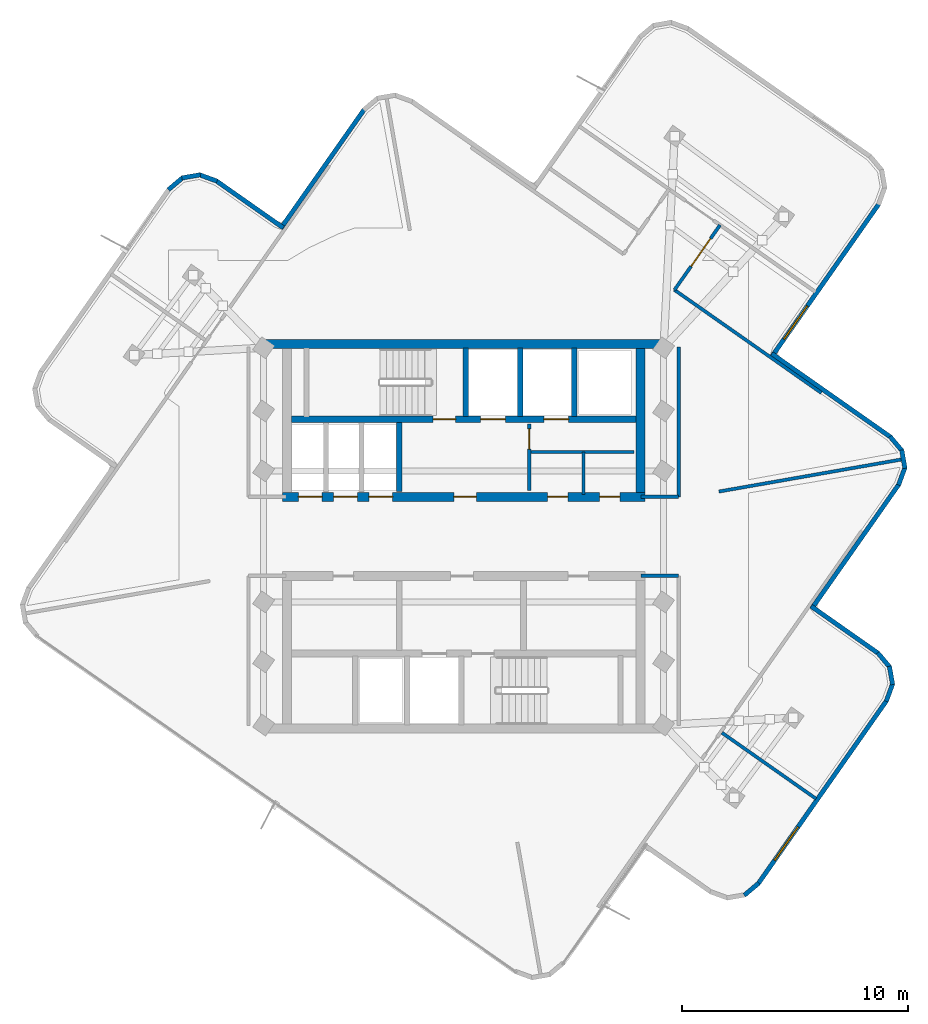
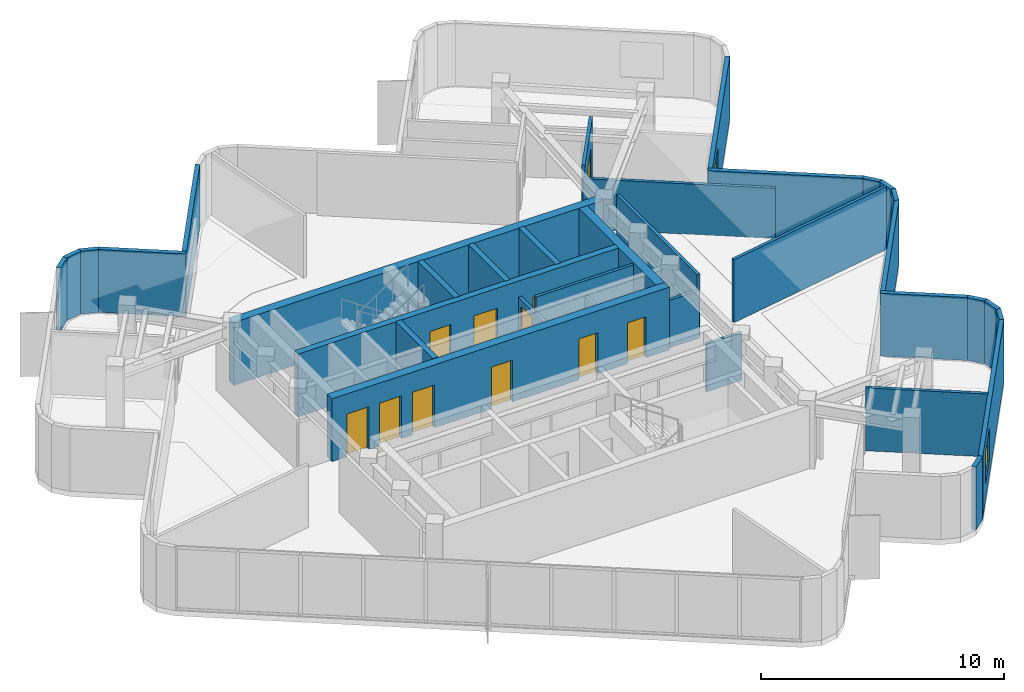
# One storey, part 5 of 8: 35 walls, 11 doors, 2 windows, 13 openings.
"""IFC4 building model written with IfcOpenShell, lengths in metres."""

from ifc_helpers import new_model, si_unit, direction, frame, frame_2d, origin, place, context, subcontext, project, spatial, rectangle, extrude, material, layer, layer_set, type_object, element, fill, save


model = new_model("IFC4")

# Units and contexts
model_context = context("Model", 3, precision=1e-05, world=origin(), true_north=direction((0.0, 1.0)))
body_context = subcontext(model_context, "Body", "Model", "MODEL_VIEW")
ifc_project = project(units=[si_unit("LENGTHUNIT", "METRE"), si_unit("AREAUNIT", "SQUARE_METRE"), si_unit("VOLUMEUNIT", "CUBIC_METRE"), si_unit("PLANEANGLEUNIT", "RADIAN"), si_unit("MASSUNIT", "GRAM", prefix="KILO")], contexts=[model_context])

# Site, building, storey
site_placement = place(None, origin())
site = spatial("IfcSite", under=ifc_project, at=site_placement, CompositionType="ELEMENT")
building_placement = place(site_placement, origin())
building = spatial("IfcBuilding", under=site, at=building_placement, Name="Solmarez Civic Tower", CompositionType="ELEMENT")
storey_placement = place(building_placement, frame((0.0, 0.0, 264.60009765625)))
storey = spatial("IfcBuildingStorey", under=building, at=storey_placement, Name="L71", CompositionType="ELEMENT", Elevation=264.60009765625)

# Wall
ifc_material_1 = material(Name="Concrete C50/60", Category="concrete")
ifc_layer_1 = layer(ifc_material_1, 0.39990234375)
ifc_layer_set_1 = layer_set([ifc_layer_1], Name="Concrete C50/60")
wall_type_1 = type_object("IfcWallType", Name="WALL-CORE-400", PredefinedType="SHEAR", material=ifc_layer_set_1)
wall_1_placement = place(storey_placement, frame((-8.780029296875, 8.510009765625, 0.0), z_axis=(0.0, 0.0, 1.0), x_axis=(1.0, 0.0, 0.0)))
element("IfcWall", 1, at=wall_1_placement, inside=storey, type_object=wall_type_1, Name="L71 Split-Core Structural Wall NCW-N-L71", PredefinedType="SHEAR", context=body_context, shape_type="SweptSolid", body=[
    extrude(rectangle(XDim=17.56005859375, YDim=0.39990234375, at=frame_2d((8.780029296875, 0.0))), origin(), (0.0, 0.0, 1.0), 3.159912109375),
])

# Wall, openings, doors
wall_2_placement = place(storey_placement, frame((8.02001953125, 1.75, 0.0), z_axis=(0.0, 0.0, 1.0), x_axis=(-1.0, 0.0, 0.0)))
wall_2 = element("IfcWall", 2, at=wall_2_placement, inside=storey, type_object=wall_type_1, Name="L71 Split-Core Structural Wall NCW-S-L71", PredefinedType="SHEAR", context=body_context, shape_type="SweptSolid", body=[
    extrude(rectangle(XDim=16.0400390625, YDim=0.39990234375, at=frame_2d((8.02001953125, 0.0))), origin(), (0.0, 0.0, 1.0), 3.159912109375),
])
opening_1_placement = place(wall_2_placement, frame((7.449951171875, 0.0, 0.0)))
opening_1 = element("IfcOpeningElement", 3, at=opening_1_placement, cuts=wall_2, Name="Opening D-04", PredefinedType="OPENING", context=body_context, shape_type="SweptSolid", body=[
    extrude(rectangle(XDim=1.0, YDim=2.10009765625, at=frame_2d((0.5, 1.050048828125))), frame((0.0, 0.2099609375, 0.0), z_axis=(0.0, -1.0, 0.0), x_axis=(1.0, 0.0, 0.0)), (0.0, 0.0, 1.0), 0.419921875),
])
opening_2_placement = place(wall_2_placement, frame((14.284912109375, 0.0, 0.0)))
opening_2 = element("IfcOpeningElement", 4, at=opening_2_placement, cuts=wall_2, Name="Opening LD-01", PredefinedType="OPENING", context=body_context, shape_type="SweptSolid", body=[
    extrude(rectangle(XDim=1.050048828125, YDim=2.14990234375, at=frame_2d((0.52490234375, 1.074951171875))), frame((0.0, 0.2099609375, 0.0), z_axis=(0.0, -1.0, 0.0), x_axis=(1.0, 0.0, 0.0)), (0.0, 0.0, 1.0), 0.419921875),
])
opening_3_placement = place(wall_2_placement, frame((12.72509765625, 0.0, 0.0)))
opening_3 = element("IfcOpeningElement", 5, at=opening_3_placement, cuts=wall_2, Name="Opening LD-01", PredefinedType="OPENING", context=body_context, shape_type="SweptSolid", body=[
    extrude(rectangle(XDim=1.050048828125, YDim=2.14990234375, at=frame_2d((0.52490234375, 1.074951171875))), frame((0.0, 0.2099609375, 0.0), z_axis=(0.0, -1.0, 0.0), x_axis=(1.0, 0.0, 0.0)), (0.0, 0.0, 1.0), 0.419921875),
])
opening_4_placement = place(wall_2_placement, frame((11.1650390625, 0.0, 0.0)))
opening_4 = element("IfcOpeningElement", 6, at=opening_4_placement, cuts=wall_2, Name="Opening LD-01", PredefinedType="OPENING", context=body_context, shape_type="SweptSolid", body=[
    extrude(rectangle(XDim=1.050048828125, YDim=2.14990234375, at=frame_2d((0.52490234375, 1.074951171875))), frame((0.0, 0.2099609375, 0.0), z_axis=(0.0, -1.0, 0.0), x_axis=(1.0, 0.0, 0.0)), (0.0, 0.0, 1.0), 0.419921875),
])
opening_5_placement = place(wall_2_placement, frame((3.39990234375, 0.0, 0.0)))
opening_5 = element("IfcOpeningElement", 7, at=opening_5_placement, cuts=wall_2, Name="Opening D-09", PredefinedType="OPENING", context=body_context, shape_type="SweptSolid", body=[
    extrude(rectangle(XDim=0.89990234375, YDim=2.06005859375, at=frame_2d((0.449951171875, 1.030029296875))), frame((0.0, 0.2099609375, 0.0), z_axis=(0.0, -1.0, 0.0), x_axis=(1.0, 0.0, 0.0)), (0.0, 0.0, 1.0), 0.419921875),
])
opening_6_placement = place(wall_2_placement, frame((1.10009765625, 0.0, 0.0)))
opening_6 = element("IfcOpeningElement", 8, at=opening_6_placement, cuts=wall_2, Name="Opening D-09", PredefinedType="OPENING", context=body_context, shape_type="SweptSolid", body=[
    extrude(rectangle(XDim=0.89990234375, YDim=2.06005859375, at=frame_2d((0.449951171875, 1.030029296875))), frame((0.0, 0.2099609375, 0.0), z_axis=(0.0, -1.0, 0.0), x_axis=(1.0, 0.0, 0.0)), (0.0, 0.0, 1.0), 0.419921875),
])
ifc_material_2 = material(Name="Steel-Faced Acoustic Fire Door", Category="steel")
door_type_1 = type_object("IfcDoorType", Name="DOOR-FD60-1000", OperationType="NOTDEFINED", PredefinedType="DOOR", material=ifc_material_2)
door_1_placement = place(opening_1_placement, origin())
door_1 = element("IfcDoor", 9, at=door_1_placement, inside=storey, type_object=door_type_1, Name="L71 North Firefighting Lobby Door", OperationType="SINGLE_SWING_RIGHT", OverallHeight=2.10009765625, OverallWidth=1.0, PredefinedType="DOOR", context=body_context, shape_type="SweptSolid", body=[
    extrude(rectangle(XDim=1.0, YDim=2.10009765625, at=frame_2d((0.5, 1.050048828125))), frame((0.0, 0.02490234375, 0.0), z_axis=(0.0, -1.0, 0.0), x_axis=(1.0, 0.0, 0.0)), (0.0, 0.0, 1.0), 0.050048828125),
])
fill(opening_1, door_1)
ifc_material_3 = material(Name="Fire-Rated Service Core Door", Category="wood")
door_type_2 = type_object("IfcDoorType", Name="DOOR-FD60-900", OperationType="NOTDEFINED", PredefinedType="DOOR", material=ifc_material_3)
door_2_placement = place(opening_5_placement, origin())
door_2 = element("IfcDoor", 10, at=door_2_placement, inside=storey, type_object=door_type_2, Name="L71 Core WC Door", OperationType="SINGLE_SWING_LEFT", OverallHeight=2.06005859375, OverallWidth=0.89990234375, PredefinedType="DOOR", context=body_context, shape_type="SweptSolid", body=[
    extrude(rectangle(XDim=0.89990234375, YDim=2.06005859375, at=frame_2d((0.449951171875, 1.030029296875))), frame((0.0, 0.02490234375, 0.0), z_axis=(0.0, -1.0, 0.0), x_axis=(1.0, 0.0, 0.0)), (0.0, 0.0, 1.0), 0.050048828125),
])
fill(opening_5, door_2)
door_3_placement = place(opening_6_placement, origin())
door_3 = element("IfcDoor", 11, at=door_3_placement, inside=storey, type_object=door_type_2, Name="L71 Core CL Door", OperationType="SINGLE_SWING_RIGHT", OverallHeight=2.06005859375, OverallWidth=0.89990234375, PredefinedType="DOOR", context=body_context, shape_type="SweptSolid", body=[
    extrude(rectangle(XDim=0.89990234375, YDim=2.06005859375, at=frame_2d((0.449951171875, 1.030029296875))), frame((0.0, 0.02490234375, 0.0), z_axis=(0.0, -1.0, 0.0), x_axis=(1.0, 0.0, 0.0)), (0.0, 0.0, 1.0), 0.050048828125),
])
fill(opening_6, door_3)
ifc_material_4 = material(Name="Bronze Passenger Lift Landing Sliding Door", Category="aluminium")
door_type_3 = type_object("IfcDoorType", Name="DOOR-LD-PAX-1050", OperationType="DOUBLE_DOOR_SLIDING", PredefinedType="DOOR", material=ifc_material_4)
door_4_placement = place(opening_2_placement, origin())
door_4 = element("IfcDoor", 12, at=door_4_placement, inside=storey, type_object=door_type_3, Name="L71 High-Rise Lift Landing Door PL-H1", OperationType="DOUBLE_DOOR_SLIDING", OverallHeight=2.14990234375, OverallWidth=1.050048828125, PredefinedType="DOOR", context=body_context, shape_type="SweptSolid", body=[
    extrude(rectangle(XDim=1.050048828125, YDim=2.14990234375, at=frame_2d((0.52490234375, 1.074951171875))), frame((0.0, 0.02490234375, 0.0), z_axis=(0.0, -1.0, 0.0), x_axis=(1.0, 0.0, 0.0)), (0.0, 0.0, 1.0), 0.050048828125),
])
fill(opening_2, door_4)
door_5_placement = place(opening_3_placement, origin())
door_5 = element("IfcDoor", 13, at=door_5_placement, inside=storey, type_object=door_type_3, Name="L71 High-Rise Lift Landing Door PL-H2", OperationType="DOUBLE_DOOR_SLIDING", OverallHeight=2.14990234375, OverallWidth=1.050048828125, PredefinedType="DOOR", context=body_context, shape_type="SweptSolid", body=[
    extrude(rectangle(XDim=1.050048828125, YDim=2.14990234375, at=frame_2d((0.52490234375, 1.074951171875))), frame((0.0, 0.02490234375, 0.0), z_axis=(0.0, -1.0, 0.0), x_axis=(1.0, 0.0, 0.0)), (0.0, 0.0, 1.0), 0.050048828125),
])
fill(opening_3, door_5)
door_6_placement = place(opening_4_placement, origin())
door_6 = element("IfcDoor", 14, at=door_6_placement, inside=storey, type_object=door_type_3, Name="L71 High-Rise Lift Landing Door PL-H3", OperationType="DOUBLE_DOOR_SLIDING", OverallHeight=2.14990234375, OverallWidth=1.050048828125, PredefinedType="DOOR", context=body_context, shape_type="SweptSolid", body=[
    extrude(rectangle(XDim=1.050048828125, YDim=2.14990234375, at=frame_2d((0.52490234375, 1.074951171875))), frame((0.0, 0.02490234375, 0.0), z_axis=(0.0, -1.0, 0.0), x_axis=(1.0, 0.0, 0.0)), (0.0, 0.0, 1.0), 0.050048828125),
])
fill(opening_4, door_6)

# Walls
wall_3_placement = place(storey_placement, frame((7.820068359375, 8.31005859375, 0.0), z_axis=(0.0, 0.0, 1.0), x_axis=(0.0, -1.0, 0.0)))
element("IfcWall", 15, at=wall_3_placement, inside=storey, type_object=wall_type_1, Name="L71 Split-Core Structural Wall NCW-E-L71", PredefinedType="SHEAR", context=body_context, shape_type="SweptSolid", body=[
    extrude(rectangle(XDim=6.360107421875, YDim=0.39990234375, at=frame_2d((3.18017578125, 0.0))), origin(), (0.0, 0.0, 1.0), 3.159912109375),
])
ifc_material_5 = material(Name="Precast concrete C40/50", Category="concrete")
ifc_layer_2 = layer(ifc_material_5, 0.199951171875)
ifc_layer_set_2 = layer_set([ifc_layer_2], Name="Precast concrete C40/50")
wall_type_2 = type_object("IfcWallType", Name="WALL-EXT-200", PredefinedType="SOLIDWALL", material=ifc_layer_set_2)
wall_4_placement = place(storey_placement, frame((-13.06396484375, 15.344970703125, 0.0), z_axis=(0.0, 0.0, 1.0), x_axis=(0.766330415365, 0.642446647191, 0.0)))
element("IfcWall", 16, at=wall_4_placement, inside=storey, type_object=wall_type_2, Name="L71 Exterior Precast Wall 18", PredefinedType="SOLIDWALL", context=body_context, shape_type="SweptSolid", body=[
    extrude(rectangle(XDim=0.837646484375, YDim=0.199951171875, at=frame_2d((0.4189453125, 0.0))), origin(), (0.0, 0.0, 1.0), 3.159912109375),
])
wall_5_placement = place(storey_placement, frame((-12.466064453125, 15.863037109375, 0.0), z_axis=(0.0, 0.0, 1.0), x_axis=(0.985118245285, 0.171877988141, 0.0)))
element("IfcWall", 17, at=wall_5_placement, inside=storey, type_object=wall_type_2, Name="L71 Exterior Precast Wall 19", PredefinedType="SOLIDWALL", context=body_context, shape_type="SweptSolid", body=[
    extrude(rectangle(XDim=0.8251953125, YDim=0.199951171875, at=frame_2d((0.41259765625, 0.0))), origin(), (0.0, 0.0, 1.0), 3.159912109375),
])
wall_6_placement = place(storey_placement, frame((-11.700927734375, 16.010009765625, 0.0), z_axis=(0.0, 0.0, 1.0), x_axis=(0.939042573482, -0.343800880145, 0.0)))
element("IfcWall", 18, at=wall_6_placement, inside=storey, type_object=wall_type_2, Name="L71 Exterior Precast Wall 20", PredefinedType="SOLIDWALL", context=body_context, shape_type="SweptSolid", body=[
    extrude(rectangle(XDim=0.837890625, YDim=0.199951171875, at=frame_2d((0.4189453125, 0.0))), origin(), (0.0, 0.0, 1.0), 3.159912109375),
])
wall_7_placement = place(storey_placement, frame((-10.95703125, 15.7451171875, 0.0), z_axis=(0.0, 0.0, 1.0), x_axis=(0.818576054501, -0.574398157202, 0.0)))
element("IfcWall", 19, at=wall_7_placement, inside=storey, type_object=wall_type_2, Name="L71 Exterior Precast Wall 21", PredefinedType="SOLIDWALL", context=body_context, shape_type="SweptSolid", body=[
    extrude(rectangle(XDim=3.640380859375, YDim=0.199951171875, at=frame_2d((1.8203125, 0.0))), origin(), (0.0, 0.0, 1.0), 3.159912109375),
])
wall_8_placement = place(storey_placement, frame((-8.087890625, 13.635009765625, 0.0), z_axis=(0.0, 0.0, 1.0), x_axis=(0.574286279317, 0.818654548261, 0.0)))
element("IfcWall", 20, at=wall_8_placement, inside=storey, type_object=wall_type_2, Name="L71 Exterior Precast Wall 24", PredefinedType="SOLIDWALL", context=body_context, shape_type="SweptSolid", body=[
    extrude(rectangle(XDim=6.44091796875, YDim=0.199951171875, at=frame_2d((3.220458984375, 0.0))), origin(), (0.0, 0.0, 1.0), 3.159912109375),
])

# Wall, opening, window
wall_9_placement = place(storey_placement, frame((18.385986328125, 14.72412109375, 0.0), z_axis=(0.0, 0.0, 1.0), x_axis=(-0.574193796103, -0.818719417454, 0.0)))
wall_9 = element("IfcWall", 21, at=wall_9_placement, inside=storey, type_object=wall_type_2, Name="L71 Exterior Precast Wall 39", PredefinedType="SOLIDWALL", context=body_context, shape_type="SweptSolid", body=[
    extrude(rectangle(XDim=8.240966796875, YDim=0.199951171875, at=frame_2d((4.12060546875, 0.0))), origin(), (0.0, 0.0, 1.0), 3.159912109375),
])
opening_7_placement = place(wall_9_placement, frame((5.528076171875, 0.0, 0.85009765625)))
opening_7 = element("IfcOpeningElement", 22, at=opening_7_placement, cuts=wall_9, Name="Opening W-12", PredefinedType="OPENING", context=body_context, shape_type="SweptSolid", body=[
    extrude(rectangle(XDim=1.800048828125, YDim=1.60009765625, at=frame_2d((0.89990234375, 0.800048828125))), frame((0.0, 0.10986328125, 0.0), z_axis=(0.0, -1.0, 0.0), x_axis=(1.0, 0.0, 0.0)), (0.0, 0.0, 1.0), 0.219970703125),
])
ifc_material_6 = material(Name="Solar Control Bronze-Tinted Insulating Glass", Category="glass")
window_type = type_object("IfcWindowType", Name="WIN-1800X1600", PartitioningType="SINGLE_PANEL", PredefinedType="WINDOW", material=ifc_material_6)
window_1_placement = place(opening_7_placement, origin())
window_1 = element("IfcWindow", 23, at=window_1_placement, inside=storey, type_object=window_type, Name="L71 Exterior Facade Window 39", OverallHeight=1.60009765625, OverallWidth=1.800048828125, PartitioningType="SINGLE_PANEL", PredefinedType="WINDOW", context=body_context, shape_type="SweptSolid", body=[
    extrude(rectangle(XDim=1.800048828125, YDim=1.60009765625, at=frame_2d((0.89990234375, 0.800048828125))), frame((0.0, 0.030029296875, 0.0), z_axis=(0.0, -1.0, 0.0), x_axis=(1.0, 0.0, 0.0)), (0.0, 0.0, 1.0), 0.06005859375),
])
fill(opening_7, window_1)

# Walls
wall_10_placement = place(storey_placement, frame((13.635009765625, 8.087890625, 0.0), z_axis=(0.0, 0.0, 1.0), x_axis=(0.818654548261, -0.574286279317, 0.0)))
element("IfcWall", 24, at=wall_10_placement, inside=storey, type_object=wall_type_2, Name="L71 Exterior Precast Wall 42", PredefinedType="SOLIDWALL", context=body_context, shape_type="SweptSolid", body=[
    extrude(rectangle(XDim=6.44091796875, YDim=0.199951171875, at=frame_2d((3.220458984375, 0.0))), origin(), (0.0, 0.0, 1.0), 3.159912109375),
])
wall_11_placement = place(storey_placement, frame((18.8720703125, 4.422119140625, 0.0), z_axis=(0.0, 0.0, 1.0), x_axis=(0.642816318642, -0.766020352528, 0.0)))
element("IfcWall", 25, at=wall_11_placement, inside=storey, type_object=wall_type_2, Name="L71 Exterior Precast Wall 43", PredefinedType="SOLIDWALL", context=body_context, shape_type="SweptSolid", body=[
    extrude(rectangle(XDim=0.838134765625, YDim=0.199951171875, at=frame_2d((0.4189453125, 0.0))), origin(), (0.0, 0.0, 1.0), 3.159912109375),
])
wall_12_placement = place(storey_placement, frame((19.39111328125, 3.823974609375, 0.0), z_axis=(0.0, 0.0, 1.0), x_axis=(0.171877988141, -0.985118245285, 0.0)))
element("IfcWall", 26, at=wall_12_placement, inside=storey, type_object=wall_type_2, Name="L71 Exterior Precast Wall 44", PredefinedType="SOLIDWALL", context=body_context, shape_type="SweptSolid", body=[
    extrude(rectangle(XDim=0.8251953125, YDim=0.199951171875, at=frame_2d((0.41259765625, 0.0))), origin(), (0.0, 0.0, 1.0), 3.159912109375),
])
wall_13_placement = place(storey_placement, frame((19.5380859375, 3.05908203125, 0.0), z_axis=(0.0, 0.0, 1.0), x_axis=(-0.344083284363, -0.938939131905, 0.0)))
element("IfcWall", 27, at=wall_13_placement, inside=storey, type_object=wall_type_2, Name="L71 Exterior Precast Wall 45", PredefinedType="SOLIDWALL", context=body_context, shape_type="SweptSolid", body=[
    extrude(rectangle(XDim=0.837158203125, YDim=0.199951171875, at=frame_2d((0.41845703125, 0.0))), origin(), (0.0, 0.0, 1.0), 3.159912109375),
])
wall_14_placement = place(storey_placement, frame((19.27294921875, 2.31591796875, 0.0), z_axis=(0.0, 0.0, 1.0), x_axis=(-0.574227764949, -0.818695592978, 0.0)))
element("IfcWall", 28, at=wall_14_placement, inside=storey, type_object=wall_type_2, Name="L71 Exterior Precast Wall 46", PredefinedType="SOLIDWALL", context=body_context, shape_type="SweptSolid", body=[
    extrude(rectangle(XDim=6.740966796875, YDim=0.199951171875, at=frame_2d((3.37060546875, 0.0))), origin(), (0.0, 0.0, 1.0), 3.159912109375),
])
wall_15_placement = place(storey_placement, frame((15.383056640625, -3.092041015625, 0.0), z_axis=(0.0, 0.0, 1.0), x_axis=(0.818664531158, -0.574272048269, 0.0)))
element("IfcWall", 29, at=wall_15_placement, inside=storey, type_object=wall_type_2, Name="L71 Exterior Precast Wall 49", PredefinedType="SOLIDWALL", context=body_context, shape_type="SweptSolid", body=[
    extrude(rectangle(XDim=3.641357421875, YDim=0.199951171875, at=frame_2d((1.82080078125, 0.0))), origin(), (0.0, 0.0, 1.0), 3.159912109375),
])
wall_16_placement = place(storey_placement, frame((18.327880859375, -5.14990234375, 0.0), z_axis=(0.0, 0.0, 1.0), x_axis=(0.642303159159, -0.766450684477, 0.0)))
element("IfcWall", 30, at=wall_16_placement, inside=storey, type_object=wall_type_2, Name="L71 Exterior Precast Wall 50", PredefinedType="SOLIDWALL", context=body_context, shape_type="SweptSolid", body=[
    extrude(rectangle(XDim=0.837646484375, YDim=0.199951171875, at=frame_2d((0.4189453125, 0.0))), origin(), (0.0, 0.0, 1.0), 3.159912109375),
])
wall_17_placement = place(storey_placement, frame((18.845947265625, -5.748046875, 0.0), z_axis=(0.0, 0.0, 1.0), x_axis=(0.172165058078, -0.985068115806, 0.0)))
element("IfcWall", 31, at=wall_17_placement, inside=storey, type_object=wall_type_2, Name="L71 Exterior Precast Wall 51", PredefinedType="SOLIDWALL", context=body_context, shape_type="SweptSolid", body=[
    extrude(rectangle(XDim=0.8251953125, YDim=0.199951171875, at=frame_2d((0.41259765625, 0.0))), origin(), (0.0, 0.0, 1.0), 3.159912109375),
])
wall_18_placement = place(storey_placement, frame((18.992919921875, -6.512939453125, 0.0), z_axis=(0.0, 0.0, 1.0), x_axis=(-0.343449935769, -0.93917098636, 0.0)))
element("IfcWall", 32, at=wall_18_placement, inside=storey, type_object=wall_type_2, Name="L71 Exterior Precast Wall 52", PredefinedType="SOLIDWALL", context=body_context, shape_type="SweptSolid", body=[
    extrude(rectangle(XDim=0.838134765625, YDim=0.199951171875, at=frame_2d((0.4189453125, 0.0))), origin(), (0.0, 0.0, 1.0), 3.159912109375),
])

# Wall, opening, window
wall_19_placement = place(storey_placement, frame((18.72802734375, -7.257080078125, 0.0), z_axis=(0.0, 0.0, 1.0), x_axis=(-0.574152395536, -0.818748451419, 0.0)))
wall_19 = element("IfcWall", 33, at=wall_19_placement, inside=storey, type_object=wall_type_2, Name="L71 Exterior Precast Wall 53", PredefinedType="SOLIDWALL", context=body_context, shape_type="SweptSolid", body=[
    extrude(rectangle(XDim=9.922607421875, YDim=0.199951171875, at=frame_2d((4.96142578125, 0.0))), origin(), (0.0, 0.0, 1.0), 3.159912109375),
])
opening_8_placement = place(wall_19_placement, frame((6.840087890625, 0.0, 0.85009765625)))
opening_8 = element("IfcOpeningElement", 34, at=opening_8_placement, cuts=wall_19, Name="Opening W-12", PredefinedType="OPENING", context=body_context, shape_type="SweptSolid", body=[
    extrude(rectangle(XDim=1.800048828125, YDim=1.60009765625, at=frame_2d((0.89990234375, 0.800048828125))), frame((0.0, 0.10986328125, 0.0), z_axis=(0.0, -1.0, 0.0), x_axis=(1.0, 0.0, 0.0)), (0.0, 0.0, 1.0), 0.219970703125),
])
window_2_placement = place(opening_8_placement, origin())
window_2 = element("IfcWindow", 35, at=window_2_placement, inside=storey, type_object=window_type, Name="L71 Exterior Facade Window 53", OverallHeight=1.60009765625, OverallWidth=1.800048828125, PartitioningType="SINGLE_PANEL", PredefinedType="WINDOW", context=body_context, shape_type="SweptSolid", body=[
    extrude(rectangle(XDim=1.800048828125, YDim=1.60009765625, at=frame_2d((0.89990234375, 0.800048828125))), frame((0.0, 0.030029296875, 0.0), z_axis=(0.0, -1.0, 0.0), x_axis=(1.0, 0.0, 0.0)), (0.0, 0.0, 1.0), 0.06005859375),
])
fill(opening_8, window_2)

# Walls
wall_20_placement = place(storey_placement, frame((13.06396484375, -15.344970703125, 0.0), z_axis=(0.0, 0.0, 1.0), x_axis=(-0.766330415365, -0.642446647191, 0.0)))
element("IfcWall", 36, at=wall_20_placement, inside=storey, type_object=wall_type_2, Name="L71 Exterior Precast Wall 54", PredefinedType="SOLIDWALL", context=body_context, shape_type="SweptSolid", body=[
    extrude(rectangle(XDim=0.837646484375, YDim=0.199951171875, at=frame_2d((0.4189453125, 0.0))), origin(), (0.0, 0.0, 1.0), 3.159912109375),
])
ifc_material_7 = material(Name="Gypsum Board Acoustic Steel-Stud Partition", Category="steel")
ifc_layer_3 = layer(ifc_material_7, 0.14990234375)
ifc_layer_set_3 = layer_set([ifc_layer_3], Name="Gypsum Board Acoustic Steel-Stud Partition")
wall_type_3 = type_object("IfcWallType", Name="WALL-INT-FIRE-150", PredefinedType="PARTITIONING", material=ifc_layer_set_3)
wall_21_placement = place(storey_placement, frame((9.52001953125, 1.75, 0.0), z_axis=(0.0, 0.0, 1.0), x_axis=(0.0, 1.0, 0.0)))
element("IfcWall", 37, at=wall_21_placement, inside=storey, type_object=wall_type_3, Name="L71 Interior Partition CHW-L71-EN1", PredefinedType="PARTITIONING", context=body_context, shape_type="SweptSolid", body=[
    extrude(rectangle(XDim=6.6298828125, YDim=0.14990234375, at=frame_2d((3.31494140625, 0.0))), origin(), (0.0, 0.0, 1.0), 3.159912109375),
])
for number, where, z_axis, x_axis, name in (
    (38, (7.85009765625, 1.75, 0.0), (0.0, 0.0, 1.0), (1.0, 0.0, 0.0), "L71 Interior Partition CHW-L71-EN3"),
    (39, (7.85009765625, -1.75, 0.0), (0.0, 0.0, 1.0), (1.0, 0.0, 0.0), "L71 Interior Partition CHW-L71-ES3"),
):
    element("IfcWall", number, at=place(storey_placement, frame(where, z_axis=z_axis, x_axis=x_axis)), inside=storey, type_object=wall_type_3, Name=name, PredefinedType="PARTITIONING", context=body_context, shape_type="SweptSolid", body=[
        extrude(rectangle(XDim=1.669921875, YDim=0.14990234375, at=frame_2d((0.8349609375, 0.0))), origin(), (0.0, 0.0, 1.0), 2.389892578125),
    ])
ifc_layer_4 = layer(ifc_material_7, 0.14501953125)
ifc_layer_set_4 = layer_set([ifc_layer_4], Name="Gypsum Board Acoustic Steel-Stud Partition")
wall_type_4 = type_object("IfcWallType", Name="WALL-INT-PART-150", PredefinedType="PARTITIONING", material=ifc_layer_set_4)
wall_22_placement = place(storey_placement, frame((11.300048828125, 1.985107421875, 0.0), z_axis=(0.0, 0.0, 1.0), x_axis=(0.984932365377, 0.172939976965, 0.0)))
element("IfcWall", 40, at=wall_22_placement, inside=storey, type_object=wall_type_4, Name="L71 Interior Partition PT-L71-QDIV-4", PredefinedType="PARTITIONING", context=body_context, shape_type="SweptSolid", body=[
    extrude(rectangle(XDim=8.2216796875, YDim=0.14501953125, at=frame_2d((4.11083984375, 0.0))), origin(), (0.0, 0.0, 1.0), 3.159912109375),
])
wall_23_placement = place(storey_placement, frame((15.8349609375, 6.34912109375, 0.0), z_axis=(0.0, 0.0, 1.0), x_axis=(-0.818780073776, 0.57410729902, 0.0)))
element("IfcWall", 41, at=wall_23_placement, inside=storey, type_object=wall_type_4, Name="L71 Interior Partition PT-L71-E-EFR", PredefinedType="PARTITIONING", context=body_context, shape_type="SweptSolid", body=[
    extrude(rectangle(XDim=7.94970703125, YDim=0.14501953125, at=frame_2d((3.974853515625, 0.0))), origin(), (0.0, 0.0, 1.0), 2.52978515625),
])

# Wall, opening, door
wall_24_placement = place(storey_placement, frame((9.333984375, 10.907958984375, 0.0), z_axis=(0.0, 0.0, 1.0), x_axis=(0.574414301793, 0.818564725539, 0.0)))
wall_24 = element("IfcWall", 42, at=wall_24_placement, inside=storey, type_object=wall_type_4, Name="L71 Interior Partition PT-L71-E-SR", PredefinedType="PARTITIONING", context=body_context, shape_type="SweptSolid", body=[
    extrude(rectangle(XDim=3.509765625, YDim=0.14501953125, at=frame_2d((1.7548828125, 0.0))), origin(), (0.0, 0.0, 1.0), 3.159912109375),
])
opening_9_placement = place(wall_24_placement, frame((1.27490234375, 0.0, 0.0)))
opening_9 = element("IfcOpeningElement", 43, at=opening_9_placement, cuts=wall_24, Name="Opening D-16", PredefinedType="OPENING", context=body_context, shape_type="SweptSolid", body=[
    extrude(rectangle(XDim=1.5, YDim=2.1201171875, at=frame_2d((0.75, 1.06005859375))), frame((0.0, 0.08251953125, 0.0), z_axis=(0.0, -1.0, 0.0), x_axis=(1.0, 0.0, 0.0)), (0.0, 0.0, 1.0), 0.1650390625),
])
ifc_material_8 = material(Name="Diplomatic Protocol Reception Door", Category="wood")
door_type_4 = type_object("IfcDoorType", Name="DOOR-INT-1500", OperationType="NOTDEFINED", PredefinedType="DOOR", material=ifc_material_8)
door_7_placement = place(opening_9_placement, origin())
door_7 = element("IfcDoor", 44, at=door_7_placement, inside=storey, type_object=door_type_4, Name="L71 Protocol Reception Room Third East Door", OperationType="SINGLE_SWING_RIGHT", OverallHeight=2.1201171875, OverallWidth=1.5, PredefinedType="DOOR", context=body_context, shape_type="SweptSolid", body=[
    extrude(rectangle(XDim=1.5, YDim=2.1201171875, at=frame_2d((0.75, 1.06005859375))), frame((0.0, 0.02490234375, 0.0), z_axis=(0.0, -1.0, 0.0), x_axis=(1.0, 0.0, 0.0)), (0.0, 0.0, 1.0), 0.050048828125),
])
fill(opening_9, door_7)

# Wall
wall_25_placement = place(storey_placement, frame((11.43310546875, -8.68896484375, 0.0), z_axis=(0.0, 0.0, 1.0), x_axis=(0.81868341552, -0.574245126363, 0.0)))
element("IfcWall", 45, at=wall_25_placement, inside=storey, type_object=wall_type_4, Name="L71 Interior Partition PT-L71-S-ALM", PredefinedType="PARTITIONING", context=body_context, shape_type="SweptSolid", body=[
    extrude(rectangle(XDim=5.084716796875, YDim=0.14501953125, at=frame_2d((2.54248046875, 0.0))), origin(), (0.0, 0.0, 1.0), 3.159912109375),
])

# Wall, opening, door
ifc_layer_5 = layer(ifc_material_7, 0.159912109375)
ifc_layer_set_5 = layer_set([ifc_layer_5], Name="Gypsum Board Acoustic Steel-Stud Partition")
wall_type_5 = type_object("IfcWallType", Name="WALL-INT-SHAFT-160", PredefinedType="PARTITIONING", material=ifc_layer_set_5)
wall_26_placement = place(storey_placement, frame((2.89990234375, 2.0400390625, 0.0), z_axis=(0.0, 0.0, 1.0), x_axis=(0.0, 1.0, 0.0)))
wall_26 = element("IfcWall", 46, at=wall_26_placement, inside=storey, type_object=wall_type_5, Name="L71 Interior Partition SHW-NL2-L71", PredefinedType="PARTITIONING", context=body_context, shape_type="SweptSolid", body=[
    extrude(rectangle(XDim=2.93994140625, YDim=0.159912109375, at=frame_2d((1.469970703125, 0.0))), origin(), (0.0, 0.0, 1.0), 2.389892578125),
])
opening_10_placement = place(wall_26_placement, frame((1.820068359375, 0.0, 0.0)))
opening_10 = element("IfcOpeningElement", 47, at=opening_10_placement, cuts=wall_26, Name="Opening D-09", PredefinedType="OPENING", context=body_context, shape_type="SweptSolid", body=[
    extrude(rectangle(XDim=0.89990234375, YDim=2.06005859375, at=frame_2d((0.449951171875, 1.030029296875))), frame((0.0, 0.08984375, 0.0), z_axis=(0.0, -1.0, 0.0), x_axis=(1.0, 0.0, 0.0)), (0.0, 0.0, 1.0), 0.179931640625),
])
door_8_placement = place(opening_10_placement, origin())
door_8 = element("IfcDoor", 48, at=door_8_placement, inside=storey, type_object=door_type_2, Name="L71 Service Lift Lobby Door", OperationType="SINGLE_SWING_LEFT", OverallHeight=2.06005859375, OverallWidth=0.89990234375, PredefinedType="DOOR", context=body_context, shape_type="SweptSolid", body=[
    extrude(rectangle(XDim=0.89990234375, YDim=2.06005859375, at=frame_2d((0.449951171875, 1.030029296875))), frame((0.0, 0.02490234375, 0.0), z_axis=(0.0, -1.0, 0.0), x_axis=(1.0, 0.0, 0.0)), (0.0, 0.0, 1.0), 0.050048828125),
])
fill(opening_10, door_8)

# Walls
ifc_layer_6 = layer(ifc_material_7, 0.137939453125)
ifc_layer_set_6 = layer_set([ifc_layer_6], Name="Gypsum Board Acoustic Steel-Stud Partition")
wall_type_6 = type_object("IfcWallType", Name="WALL-INT-WET-140", PredefinedType="PARTITIONING", material=ifc_layer_set_6)
wall_27_placement = place(storey_placement, frame((2.89990234375, 3.739990234375, 0.0), z_axis=(0.0, 0.0, 1.0), x_axis=(1.0, 0.0, 0.0)))
element("IfcWall", 49, at=wall_27_placement, inside=storey, type_object=wall_type_6, Name="L71 Interior Partition SHW-SVH-L71", PredefinedType="PARTITIONING", context=body_context, shape_type="SweptSolid", body=[
    extrude(rectangle(XDim=4.650146484375, YDim=0.137939453125, at=frame_2d((2.3251953125, 0.0))), origin(), (0.0, 0.0, 1.0), 3.159912109375),
])
wall_28_placement = place(storey_placement, frame((5.300048828125, 1.85009765625, 0.0), z_axis=(0.0, 0.0, 1.0), x_axis=(0.0, 1.0, 0.0)))
element("IfcWall", 50, at=wall_28_placement, inside=storey, type_object=wall_type_6, Name="L71 Interior Partition PT-NCSV-L71", PredefinedType="PARTITIONING", context=body_context, shape_type="SweptSolid", body=[
    extrude(rectangle(XDim=1.889892578125, YDim=0.137939453125, at=frame_2d((0.94482421875, 0.0))), origin(), (0.0, 0.0, 1.0), 2.389892578125),
])

# Wall, openings, doors
ifc_layer_7 = layer(ifc_material_1, 0.300048828125)
ifc_layer_set_7 = layer_set([ifc_layer_7], Name="Concrete C50/60")
wall_type_7 = type_object("IfcWallType", Name="WALL-STR-300", PredefinedType="SOLIDWALL", material=ifc_layer_set_7)
wall_29_placement = place(storey_placement, frame((7.6201171875, 5.179931640625, 0.0), z_axis=(0.0, 0.0, 1.0), x_axis=(-1.0, 0.0, 0.0)))
wall_29 = element("IfcWall", 51, at=wall_29_placement, inside=storey, type_object=wall_type_7, Name="L71 Split-Core Structural Wall NCW-M-L71", PredefinedType="SOLIDWALL", context=body_context, shape_type="SweptSolid", body=[
    extrude(rectangle(XDim=15.240234375, YDim=0.300048828125, at=frame_2d((7.6201171875, 0.0))), origin(), (0.0, 0.0, 1.0), 3.159912109375),
])
opening_11_placement = place(wall_29_placement, frame((5.77001953125, 0.0, 0.0)))
opening_11 = element("IfcOpeningElement", 52, at=opening_11_placement, cuts=wall_29, Name="Opening LD-02", PredefinedType="OPENING", context=body_context, shape_type="SweptSolid", body=[
    extrude(rectangle(XDim=1.10009765625, YDim=2.14990234375, at=frame_2d((0.550048828125, 1.074951171875))), frame((0.0, 0.159912109375, 0.0), z_axis=(0.0, -1.0, 0.0), x_axis=(1.0, 0.0, 0.0)), (0.0, 0.0, 1.0), 0.320068359375),
])
opening_12_placement = place(wall_29_placement, frame((2.969970703125, 0.0, 0.0)))
opening_12 = element("IfcOpeningElement", 53, at=opening_12_placement, cuts=wall_29, Name="Opening LD-03", PredefinedType="OPENING", context=body_context, shape_type="SweptSolid", body=[
    extrude(rectangle(XDim=1.10009765625, YDim=2.14990234375, at=frame_2d((0.550048828125, 1.074951171875))), frame((0.0, 0.159912109375, 0.0), z_axis=(0.0, -1.0, 0.0), x_axis=(1.0, 0.0, 0.0)), (0.0, 0.0, 1.0), 0.320068359375),
])
opening_13_placement = place(wall_29_placement, frame((7.969970703125, 0.0, 0.0)))
opening_13 = element("IfcOpeningElement", 54, at=opening_13_placement, cuts=wall_29, Name="Opening D-05", PredefinedType="OPENING", context=body_context, shape_type="SweptSolid", body=[
    extrude(rectangle(XDim=1.0, YDim=2.10009765625, at=frame_2d((0.5, 1.050048828125))), frame((0.0, 0.159912109375, 0.0), z_axis=(0.0, -1.0, 0.0), x_axis=(1.0, 0.0, 0.0)), (0.0, 0.0, 1.0), 0.320068359375),
])
ifc_material_9 = material(Name="Fire-Rated Stairwell Exit Door", Category="wood")
door_type_5 = type_object("IfcDoorType", Name="DOOR-FD90-1000", OperationType="NOTDEFINED", PredefinedType="DOOR", material=ifc_material_9)
door_9_placement = place(opening_13_placement, origin())
door_9 = element("IfcDoor", 55, at=door_9_placement, inside=storey, type_object=door_type_5, Name="L71 North Exit Stair Door ST-1", OperationType="SINGLE_SWING_RIGHT", OverallHeight=2.10009765625, OverallWidth=1.0, PredefinedType="DOOR", context=body_context, shape_type="SweptSolid", body=[
    extrude(rectangle(XDim=1.0, YDim=2.10009765625, at=frame_2d((0.5, 1.050048828125))), frame((0.0, 0.02490234375, 0.0), z_axis=(0.0, -1.0, 0.0), x_axis=(1.0, 0.0, 0.0)), (0.0, 0.0, 1.0), 0.050048828125),
])
fill(opening_13, door_9)
ifc_material_10 = material(Name="Stainless Firefighting Lift Landing Sliding Door", Category="aluminium")
door_type_6 = type_object("IfcDoorType", Name="DOOR-LD-FF-1100", OperationType="DOUBLE_DOOR_SLIDING", PredefinedType="DOOR", material=ifc_material_10)
door_10_placement = place(opening_11_placement, origin())
door_10 = element("IfcDoor", 56, at=door_10_placement, inside=storey, type_object=door_type_6, Name="L71 Firefighting Lift Landing Door FFL-1", OperationType="DOUBLE_DOOR_SLIDING", OverallHeight=2.14990234375, OverallWidth=1.10009765625, PredefinedType="DOOR", context=body_context, shape_type="SweptSolid", body=[
    extrude(rectangle(XDim=1.10009765625, YDim=2.14990234375, at=frame_2d((0.550048828125, 1.074951171875))), frame((0.0, 0.02490234375, 0.0), z_axis=(0.0, -1.0, 0.0), x_axis=(1.0, 0.0, 0.0)), (0.0, 0.0, 1.0), 0.050048828125),
])
fill(opening_11, door_10)
ifc_material_11 = material(Name="Stainless Stretcher Lift Landing Sliding Door", Category="aluminium")
door_type_7 = type_object("IfcDoorType", Name="DOOR-LD-SV-1100", OperationType="DOUBLE_DOOR_SLIDING", PredefinedType="DOOR", material=ifc_material_11)
door_11_placement = place(opening_12_placement, origin())
door_11 = element("IfcDoor", 57, at=door_11_placement, inside=storey, type_object=door_type_7, Name="L71 Service Stretcher Lift Landing Door SVL-1", OperationType="DOUBLE_DOOR_SLIDING", OverallHeight=2.14990234375, OverallWidth=1.10009765625, PredefinedType="DOOR", context=body_context, shape_type="SweptSolid", body=[
    extrude(rectangle(XDim=1.10009765625, YDim=2.14990234375, at=frame_2d((0.550048828125, 1.074951171875))), frame((0.0, 0.02490234375, 0.0), z_axis=(0.0, -1.0, 0.0), x_axis=(1.0, 0.0, 0.0)), (0.0, 0.0, 1.0), 0.050048828125),
])
fill(opening_12, door_11)

# Walls
for number, where, z_axis, x_axis, name in (
    (58, (0.10009765625, 5.300048828125, 0.0), (0.0, 0.0, 1.0), (0.0, 1.0, 0.0), "L71 Split-Core Structural Wall SHW-N1-L71"),
    (59, (2.5, 5.300048828125, 0.0), (0.0, 0.0, 1.0), (0.0, 1.0, 0.0), "L71 Split-Core Structural Wall SHW-N2-L71"),
    (60, (4.89990234375, 5.300048828125, 0.0), (0.0, 0.0, 1.0), (0.0, 1.0, 0.0), "L71 Split-Core Structural Wall SHW-N3-L71"),
):
    element("IfcWall", number, at=place(storey_placement, frame(where, z_axis=z_axis, x_axis=x_axis)), inside=storey, type_object=wall_type_7, Name=name, PredefinedType="SOLIDWALL", context=body_context, shape_type="SweptSolid", body=[
        extrude(rectangle(XDim=3.0400390625, YDim=0.25, at=frame_2d((1.52001953125, 0.0))), origin(), (0.0, 0.0, 1.0), 3.159912109375),
    ])
wall_30_placement = place(storey_placement, frame((-2.85009765625, 1.97998046875, 0.0), z_axis=(0.0, 0.0, 1.0), x_axis=(0.0, 1.0, 0.0)))
element("IfcWall", 61, at=wall_30_placement, inside=storey, type_object=wall_type_7, Name="L71 Split-Core Structural Wall SHW-NL1-L71", PredefinedType="SOLIDWALL", context=body_context, shape_type="SweptSolid", body=[
    extrude(rectangle(XDim=3.070068359375, YDim=0.25, at=frame_2d((1.53515625, 0.0))), origin(), (0.0, 0.0, 1.0), 3.159912109375),
])

save(model, "model.ifc")
